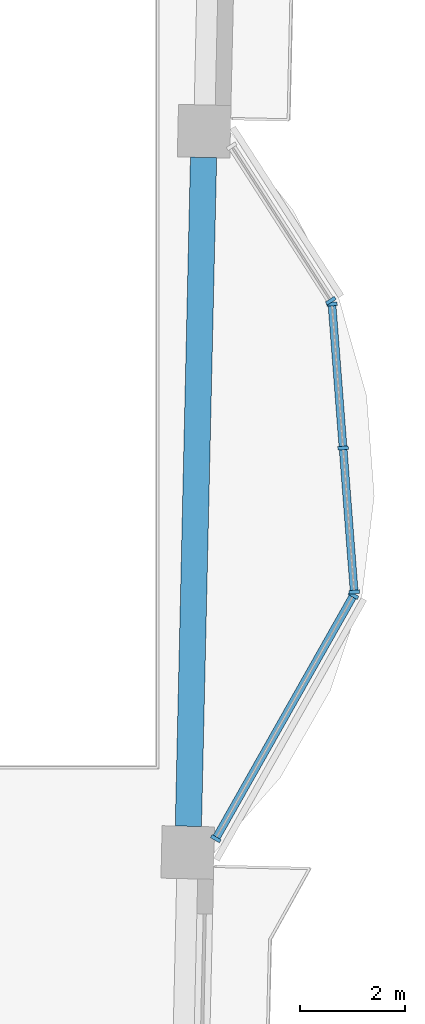
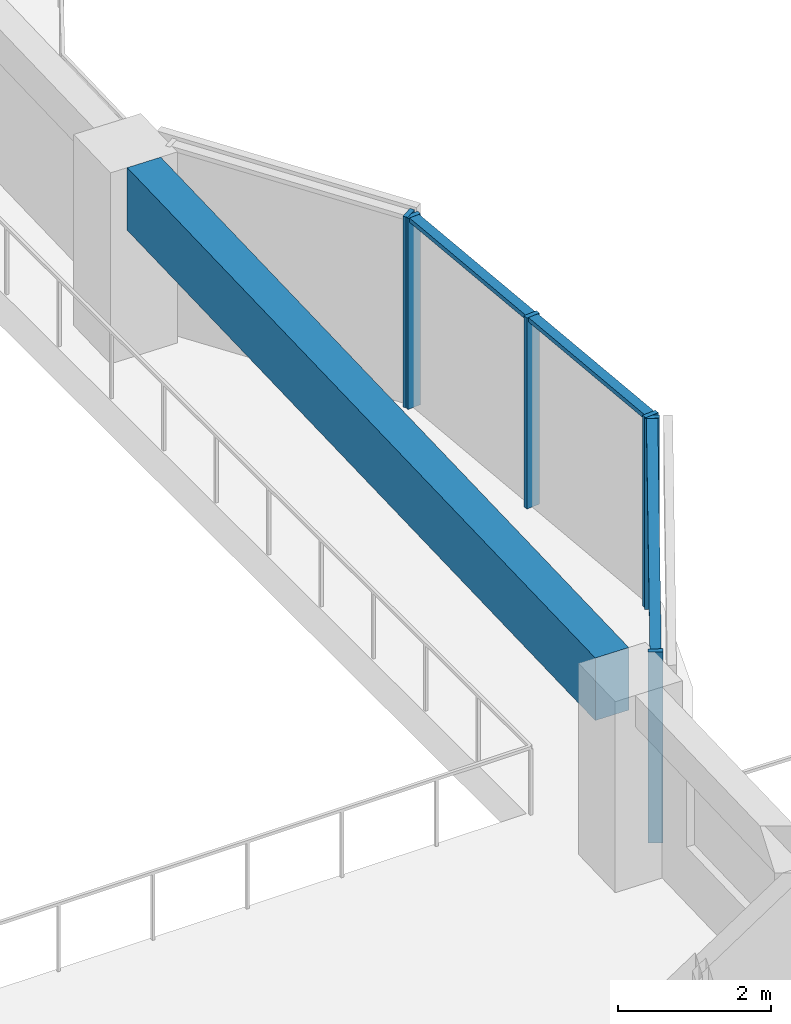
# One storey, part 2 of 17: 9 members, 1 beam, 3 elements without a shape of their own.
"""IFC4 building model written with IfcOpenShell, lengths in metres."""

from ifc_helpers import new_model, si_unit, direction, frame, origin, origin_2d, place, context, subcontext, project, spatial, rectangle, extrude, material, material_profile, profile_set, type_object, element, aggregate, save


model = new_model("IFC4")

# Units and contexts
model_context = context("Model", 3, precision=1e-05, world=origin(), true_north=direction((0.0, 1.0)))
body_context = subcontext(model_context, "Body", "Model", "MODEL_VIEW")
ifc_project = project(units=[si_unit("LENGTHUNIT", "METRE"), si_unit("AREAUNIT", "SQUARE_METRE"), si_unit("VOLUMEUNIT", "CUBIC_METRE"), si_unit("PLANEANGLEUNIT", "RADIAN"), si_unit("MASSUNIT", "GRAM", prefix="KILO")], contexts=[model_context])

# Site, building, storey
site_placement = place(None, origin())
site = spatial("IfcSite", under=ifc_project, at=site_placement, CompositionType="ELEMENT")
building_placement = place(site_placement, origin())
building = spatial("IfcBuilding", under=site, at=building_placement, Name="Mangrove Gate Tower", CompositionType="ELEMENT")
storey_placement = place(building_placement, frame((0.0, 0.0, 264.5)))
storey = spatial("IfcBuildingStorey", under=building, at=storey_placement, Name="L67", CompositionType="ELEMENT", Elevation=264.5)

# Curtain wall, members
ifc_material_1 = material(Name="Aluminium and glass curtain wall", Category="aluminium")
curtain_wall_type = type_object("IfcCurtainWallType", Name="Atrium garden-court glazing wall", PredefinedType="NOTDEFINED", material=ifc_material_1)
curtain_wall_1_placement = place(storey_placement, origin())
curtain_wall_1 = element("IfcCurtainWall", 1, at=curtain_wall_1_placement, inside=storey, type_object=curtain_wall_type, Name="Atrium garden-court glazing E1f1", PredefinedType="NOTDEFINED")
ifc_material_2 = material(Name="Aluminium alloy 6063-T6", Category="aluminium")
ifc_material_profile_1 = material_profile(ifc_material_2, rectangle(XDim=0.070068359375, YDim=0.199951171875, at=origin_2d()))
ifc_profile_set_1 = profile_set([ifc_material_profile_1], Name="Aluminium alloy 6063-T6")
member_type_1 = type_object("IfcMemberType", Name="Atrium garden-court glazing mullion 70x200", PredefinedType="MULLION", material=ifc_profile_set_1)
member_1_placement = place(storey_placement, frame((29.805908203125, -8.890869140625, 0.0), z_axis=(0.0, 0.0, 1.0), x_axis=(0.492567972087, 0.870273975754, 0.0)))
member_1 = element("IfcMember", 2, at=member_1_placement, type_object=member_type_1, Name="CWA mullion 1", PredefinedType="MULLION", context=body_context, shape_type="SweptSolid", body=[
    extrude(rectangle(XDim=0.070068359375, YDim=0.199951171875, at=origin_2d()), origin(), (0.0, 0.0, 1.0), 3.050048828125),
])
member_2_placement = place(storey_placement, frame((32.429931640625, -4.25439453125, 0.0), z_axis=(0.0, 0.0, 1.0), x_axis=(0.492567972087, 0.870273975754, 0.0)))
member_2 = element("IfcMember", 3, at=member_2_placement, type_object=member_type_1, Name="CWA mullion 2", PredefinedType="MULLION", context=body_context, shape_type="SweptSolid", body=[
    extrude(rectangle(XDim=0.070068359375, YDim=0.199951171875, at=origin_2d()), origin(), (0.0, 0.0, 1.0), 3.050048828125),
])

curtain_wall_2_placement = place(storey_placement, origin())
curtain_wall_2 = element("IfcCurtainWall", 4, at=curtain_wall_2_placement, inside=storey, type_object=curtain_wall_type, Name="Atrium garden-court glazing E1f2", PredefinedType="NOTDEFINED")
member_3_placement = place(storey_placement, frame((32.444580078125, -4.18896484375, 0.0), z_axis=(0.0, 0.0, 1.0), x_axis=(-0.077023348403, 0.997029289339, 0.0)))
member_3 = element("IfcMember", 5, at=member_3_placement, type_object=member_type_1, Name="CWA mullion 1", PredefinedType="MULLION", context=body_context, shape_type="SweptSolid", body=[
    extrude(rectangle(XDim=0.070068359375, YDim=0.199951171875, at=origin_2d()), origin(), (0.0, 0.0, 1.0), 3.050048828125),
])
member_4_placement = place(storey_placement, frame((32.232666015625, -1.4453125, 0.0), z_axis=(0.0, 0.0, 1.0), x_axis=(-0.077023348403, 0.997029289339, 0.0)))
member_4 = element("IfcMember", 6, at=member_4_placement, type_object=member_type_1, Name="CWA mullion 2", PredefinedType="MULLION", context=body_context, shape_type="SweptSolid", body=[
    extrude(rectangle(XDim=0.070068359375, YDim=0.199951171875, at=origin_2d()), origin(), (0.0, 0.0, 1.0), 3.050048828125),
])
member_5_placement = place(storey_placement, frame((32.020751953125, 1.298095703125, 0.0), z_axis=(0.0, 0.0, 1.0), x_axis=(-0.077023348403, 0.997029289339, 0.0)))
member_5 = element("IfcMember", 7, at=member_5_placement, type_object=member_type_1, Name="CWA mullion 3", PredefinedType="MULLION", context=body_context, shape_type="SweptSolid", body=[
    extrude(rectangle(XDim=0.070068359375, YDim=0.199951171875, at=origin_2d()), origin(), (0.0, 0.0, 1.0), 3.050048828125),
])

# Curtain wall, member
curtain_wall_3_placement = place(storey_placement, origin())
curtain_wall_3 = element("IfcCurtainWall", 8, at=curtain_wall_3_placement, inside=storey, type_object=curtain_wall_type, Name="Atrium garden-court glazing E1f3", PredefinedType="NOTDEFINED")
member_6_placement = place(storey_placement, frame((31.9990234375, 1.362548828125, 0.0), z_axis=(0.0, 0.0, 1.0), x_axis=(-0.540498107045, 0.841345230141, 0.0)))
member_6 = element("IfcMember", 9, at=member_6_placement, type_object=member_type_1, Name="CWA mullion 1", PredefinedType="MULLION", context=body_context, shape_type="SweptSolid", body=[
    extrude(rectangle(XDim=0.070068359375, YDim=0.199951171875, at=origin_2d()), origin(), (0.0, 0.0, 1.0), 3.050048828125),
])
aggregate(curtain_wall_3, [member_6])

# Member
ifc_material_3 = material(Name="Aluminium alloy 6063-T6", Category="aluminium")
ifc_material_profile_2 = material_profile(ifc_material_3, rectangle(XDim=0.070068359375, YDim=0.14990234375, at=origin_2d()))
ifc_profile_set_2 = profile_set([ifc_material_profile_2], Name="Aluminium alloy 6063-T6")
member_type_2 = type_object("IfcMemberType", Name="Atrium garden-court glazing transom 70x150", PredefinedType="USERDEFINED", material=ifc_profile_set_2)
member_7_placement = place(storey_placement, frame((29.822998046875, -8.8603515625, 3.014892578125), z_axis=(0.492594238536, 0.870259108635, 0.0), x_axis=(0.0, 0.0, 1.0)))
member_7 = element("IfcMember", 10, at=member_7_placement, type_object=member_type_2, Name="CWA transom 1.2", ObjectType="TRANSOM", PredefinedType="USERDEFINED", context=body_context, shape_type="SweptSolid", body=[
    extrude(rectangle(XDim=0.070068359375, YDim=0.14990234375, at=origin_2d()), origin(), (0.0, 0.0, 1.0), 5.257568359375),
])

aggregate(curtain_wall_1, [member_1, member_2, member_7])

member_8_placement = place(storey_placement, frame((32.44189453125, -4.154052734375, 3.014892578125), z_axis=(-0.07701672858, 0.997029800718, 0.0), x_axis=(0.0, 0.0, 1.0)))
member_8 = element("IfcMember", 11, at=member_8_placement, type_object=member_type_2, Name="CWA transom 1.2", ObjectType="TRANSOM", PredefinedType="USERDEFINED", context=body_context, shape_type="SweptSolid", body=[
    extrude(rectangle(XDim=0.070068359375, YDim=0.14990234375, at=origin_2d()), origin(), (0.0, 0.0, 1.0), 2.681884765625),
])

member_9_placement = place(storey_placement, frame((32.22998046875, -1.41064453125, 3.014892578125), z_axis=(-0.07701672858, 0.997029800718, 0.0), x_axis=(0.0, 0.0, 1.0)))
member_9 = element("IfcMember", 12, at=member_9_placement, type_object=member_type_2, Name="CWA transom 2.2", ObjectType="TRANSOM", PredefinedType="USERDEFINED", context=body_context, shape_type="SweptSolid", body=[
    extrude(rectangle(XDim=0.070068359375, YDim=0.14990234375, at=origin_2d()), origin(), (0.0, 0.0, 1.0), 2.681884765625),
])

aggregate(curtain_wall_2, [member_3, member_4, member_5, member_8, member_9])

# Beam
ifc_material_4 = material(Name="Concrete C50/60", Category="concrete")
ifc_material_profile_3 = material_profile(ifc_material_4, rectangle(XDim=0.5, YDim=1.0, at=origin_2d()))
ifc_profile_set_3 = profile_set([ifc_material_profile_3], Name="Concrete C50/60")
beam_type = type_object("IfcBeamType", Name="Edge beam RC 500x1000 C50/60", PredefinedType="BEAM", material=ifc_profile_set_3)
beam_placement = place(storey_placement, frame((29.284423828125, -8.65478515625, 2.550048828125), z_axis=(0.022689654485, 0.999742556651, 0.0), x_axis=(-0.999742556651, 0.022689654485, 0.0)))
element("IfcBeam", 13, at=beam_placement, inside=storey, type_object=beam_type, Name="Edge beam L67 15", PredefinedType="BEAM", context=body_context, shape_type="SweptSolid", body=[
    extrude(rectangle(XDim=0.5, YDim=1.0, at=origin_2d()), origin(), (0.0, 0.0, 1.0), 12.75048828125),
])

save(model, "model.ifc")
